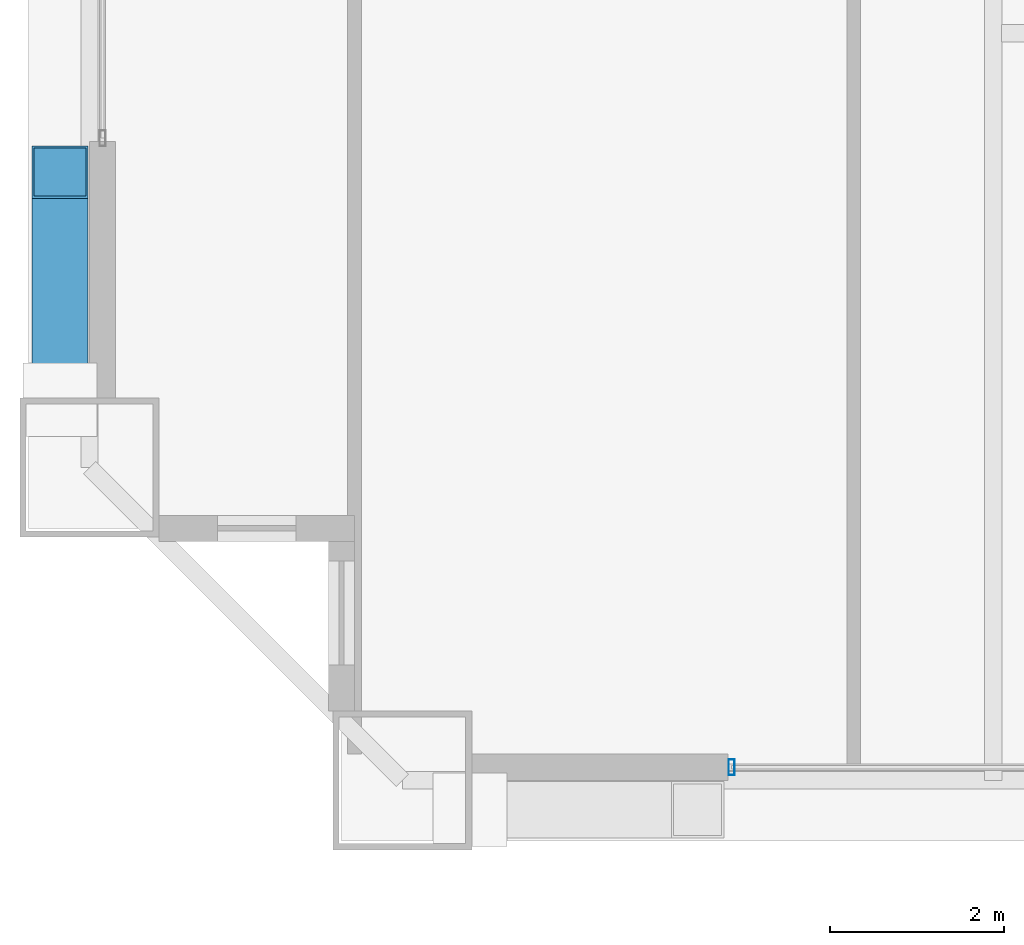
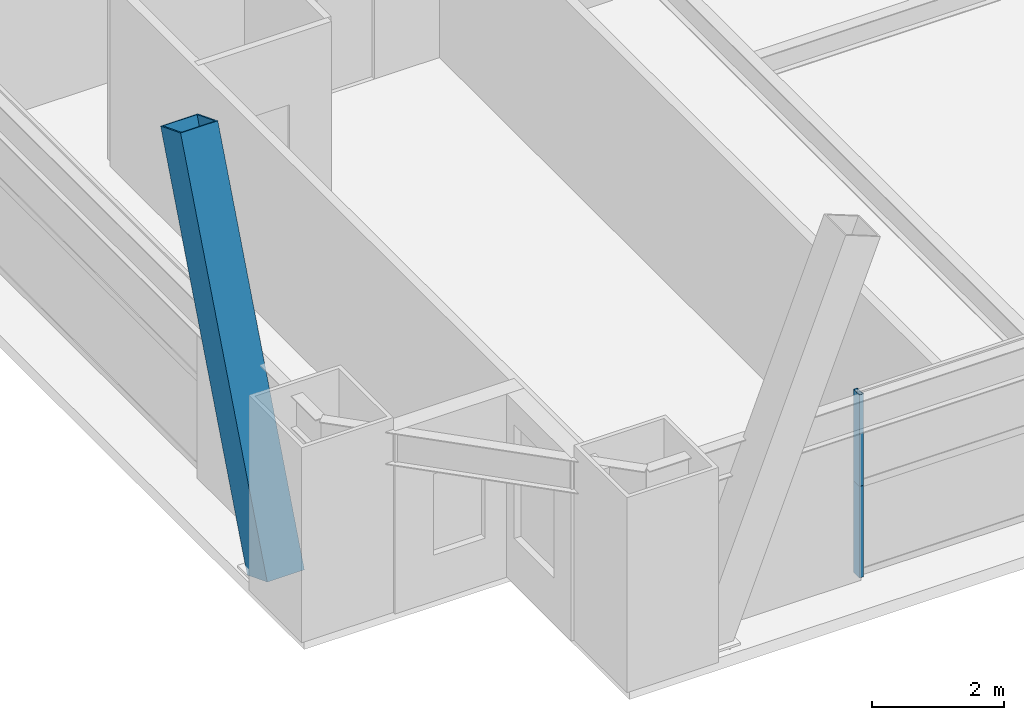
# One storey, part 4 of 41: 3 members, 1 element without a shape of its own.
"""IFC4 building model written with IfcOpenShell, lengths in metres."""

import ifcopenshell
import ifcopenshell.guid

model = None  # the IFC model being written
_history = None  # IfcOwnerHistory: only IFC2X3 demands one
_inside = {}  # id of a spatial element -> (the spatial element, [elements in it])
_under = {}  # id of a project, library or spatial element -> (it, [spatial elements below it])
_declared = {}  # id of a project -> (the project, [libraries it declares])
_typed = {}  # id of a type object -> (the type object, [elements of that type])
_made_of = {}  # id of a material, layer set ... -> (it, [elements and type objects made of it])


def new_model(schema):
    """Start an empty IFC model of exactly this schema.

    Asked for "IFC4X3", IfcOpenShell would pick the latest addendum, in which some entities
    have other attributes; the version numbers below select the first issue.
    IFC2X3 requires an IfcOwnerHistory on every rooted entity: one is made here for all.
    """
    global model, _history
    if schema == "IFC4X3":
        model = ifcopenshell.file(schema_version=(4, 3, 0, 0))
    else:
        model = ifcopenshell.file(schema=schema)
    _inside.clear()
    _under.clear()
    _declared.clear()
    _typed.clear()
    _made_of.clear()
    _history = None
    if model.schema == "IFC2X3":
        org = make("IfcOrganization", Name="unknown")
        user = make(
            "IfcPersonAndOrganization",
            ThePerson=make("IfcPerson", FamilyName="unknown"),
            TheOrganization=org,
        )
        app = make(
            "IfcApplication",
            ApplicationDeveloper=org,
            Version="unknown",
            ApplicationFullName="unknown",
            ApplicationIdentifier="unknown",
        )
        _history = make(
            "IfcOwnerHistory",
            OwningUser=user,
            OwningApplication=app,
            ChangeAction="ADDED",
            CreationDate=0,
        )
    return model


def make(cls, **values):
    """One entity of the class cls with the attributes given. An attribute that is None is left unset."""
    return model.create_entity(
        cls, **{name: value for name, value in values.items() if value is not None}
    )


def rooted(cls, **values):
    """An entity with a GlobalId (a new one), such as an element, a storey or a relation."""
    return make(cls, GlobalId=ifcopenshell.guid.new(), OwnerHistory=_history, **values)


def si_unit(unit_type, name, prefix=None):
    """IfcSIUnit, for example si_unit("LENGTHUNIT", "METRE", prefix="MILLI")."""
    return make("IfcSIUnit", UnitType=unit_type, Prefix=prefix, Name=name)


def assignment(units):
    """IfcUnitAssignment: the units of a project."""
    return None if units is None else make("IfcUnitAssignment", Units=units)


def point(xyz):
    """IfcCartesianPoint."""
    return None if xyz is None else make("IfcCartesianPoint", Coordinates=xyz)


def direction(xyz):
    """IfcDirection."""
    return None if xyz is None else make("IfcDirection", DirectionRatios=xyz)


def frame(location, z_axis=None, x_axis=None):
    """IfcAxis2Placement3D, a coordinate frame: its origin and axes. An axis left out is left unset."""
    return make(
        "IfcAxis2Placement3D",
        Location=point(location),
        Axis=direction(z_axis),
        RefDirection=direction(x_axis),
    )


def frame_2d(location, x_axis=None):
    """IfcAxis2Placement2D, a coordinate frame in the plane: its origin and x axis."""
    return make(
        "IfcAxis2Placement2D", Location=point(location), RefDirection=direction(x_axis)
    )


def origin():
    """The frame at (0, 0, 0) with its axes left unset."""
    return frame((0.0, 0.0, 0.0))


def origin_2d():
    """The frame at (0, 0) in the plane with its x axis left unset."""
    return frame_2d((0.0, 0.0))


def place(relative_to, where):
    """IfcLocalPlacement: puts the frame where relative to a parent placement (None: the world)."""
    return make(
        "IfcLocalPlacement", PlacementRelTo=relative_to, RelativePlacement=where
    )


def context(
    kind, dimensions, precision=None, world=None, true_north=None, identifier=None
):
    """IfcGeometricRepresentationContext, for example the 3D "Model" context."""
    return make(
        "IfcGeometricRepresentationContext",
        ContextIdentifier=identifier,
        ContextType=kind,
        CoordinateSpaceDimension=dimensions,
        Precision=precision,
        WorldCoordinateSystem=world,
        TrueNorth=true_north,
    )


def subcontext(parent, identifier, kind, view, scale=None):
    """IfcGeometricRepresentationSubContext, for example "Body" below "Model"."""
    return make(
        "IfcGeometricRepresentationSubContext",
        ContextIdentifier=identifier,
        ContextType=kind,
        ParentContext=parent,
        TargetScale=scale,
        TargetView=view,
    )


def project(units=None, contexts=None):
    """IfcProject with its units and contexts."""
    return rooted(
        "IfcProject",
        Name="project",
        RepresentationContexts=contexts,
        UnitsInContext=assignment(units),
    )


def spatial(cls, under=None, at=None, **own):
    """A site, building, storey or space (cls), placed at a placement, below another one or the project."""
    s = rooted(cls, ObjectPlacement=at, **own)
    if under is not None:
        _under.setdefault(under.id(), (under, []))[1].append(s)
    return s


def profile(cls, at=None, kind="AREA", **sizes):
    """A parametric profile (cls). Its sizes go by their IFC names, for example OverallWidth=200.0."""
    return make(cls, ProfileType=kind, Position=at, **sizes)


def hollow_rectangle(**sizes):
    """IfcRectangleHollowProfileDef."""
    return profile("IfcRectangleHollowProfileDef", **sizes)


def extrude(swept, where, along, depth):
    """IfcExtrudedAreaSolid: the profile swept, set in the frame where, extruded along a direction by depth."""
    return make(
        "IfcExtrudedAreaSolid",
        SweptArea=swept,
        Position=where,
        ExtrudedDirection=direction(along),
        Depth=depth,
    )


def shape(context_of_items, identifier, shape_type, items):
    """IfcShapeRepresentation: the items that make up one representation, for example the "Body"."""
    return make(
        "IfcShapeRepresentation",
        ContextOfItems=context_of_items,
        RepresentationIdentifier=identifier,
        RepresentationType=shape_type,
        Items=items,
    )


def source(mapping_origin, context_of_items, identifier, shape_type, items):
    """IfcRepresentationMap: a shape defined once, which mapped items show again and again."""
    return make(
        "IfcRepresentationMap",
        MappingOrigin=mapping_origin,
        MappedRepresentation=shape(context_of_items, identifier, shape_type, items),
    )


def transform(
    local_origin,
    x_axis=None,
    y_axis=None,
    z_axis=None,
    scale=None,
    scale2=None,
    scale3=None,
    uniform=True,
):
    """IfcCartesianTransformationOperator3D, or its non-uniform kind. x_axis, y_axis, z_axis: its Axis1, 2, 3."""
    if uniform:
        return make(
            "IfcCartesianTransformationOperator3D",
            Axis1=direction(x_axis),
            Axis2=direction(y_axis),
            LocalOrigin=point(local_origin),
            Scale=scale,
            Axis3=direction(z_axis),
        )
    return make(
        "IfcCartesianTransformationOperator3DnonUniform",
        Axis1=direction(x_axis),
        Axis2=direction(y_axis),
        LocalOrigin=point(local_origin),
        Scale=scale,
        Axis3=direction(z_axis),
        Scale2=scale2,
        Scale3=scale3,
    )


def mapped(mapping_source, mapping_target):
    """IfcMappedItem: shows the shape of a source again, moved by a transform."""
    return make(
        "IfcMappedItem", MappingSource=mapping_source, MappingTarget=mapping_target
    )


def material(Name=None, Category=None):
    """IfcMaterial."""
    return make("IfcMaterial", Name=Name, Category=Category)


def layer(
    of_material, thickness, ventilated=None, Name=None, Category=None, Priority=None
):
    """IfcMaterialLayer: one layer of a wall or slab, of a material (None: an air gap)."""
    return make(
        "IfcMaterialLayer",
        Material=of_material,
        LayerThickness=thickness,
        IsVentilated=ventilated,
        Name=Name,
        Category=Category,
        Priority=Priority,
    )


def layer_set(layers, Name=None):
    """IfcMaterialLayerSet."""
    return make("IfcMaterialLayerSet", MaterialLayers=layers, LayerSetName=Name)


def material_profile(
    of_material, cross_section, Name=None, Category=None, Priority=None
):
    """IfcMaterialProfile: a cross section and its material."""
    return make(
        "IfcMaterialProfile",
        Name=Name,
        Material=of_material,
        Profile=cross_section,
        Priority=Priority,
        Category=Category,
    )


def profile_set(profiles, Name=None, composite=None):
    """IfcMaterialProfileSet."""
    return make(
        "IfcMaterialProfileSet",
        Name=Name,
        MaterialProfiles=profiles,
        CompositeProfile=composite,
    )


def made_of(thing, what):
    """Note that an element or type object is made of a material, layer set ...; save() writes the relation."""
    if what is not None:
        _made_of.setdefault(what.id(), (what, []))[1].append(thing)
    return thing


def type_object(cls, material=None, **own):
    """A type object (cls), such as IfcWallType, which elements share."""
    return made_of(rooted(cls, **own), material)


def element(
    cls,
    number,
    at=None,
    inside=None,
    cuts=None,
    type_object=None,
    material=None,
    context=None,
    identifier="Body",
    shape_type=None,
    held_by="IfcProductDefinitionShape",
    body=None,
    shapes=None,
    **own,
):
    """One element of the class cls, such as IfcWall. Its Tag is "e" and its number.

    at: its placement. inside: the storey or other place that contains it. cuts: it is an
    opening in that element (IfcRelVoidsElement). A single representation is given by context,
    identifier, shape_type and body (its items); several are given by shapes. held_by: the class
    of the entity that holds the representations. save() writes the other relations.
    """
    e = rooted(cls, Tag="e%d" % number, ObjectPlacement=at, **own)
    if body is not None:
        shapes = [shape(context, identifier, shape_type, body)]
    if shapes is not None:
        e.Representation = make(held_by, Representations=shapes)
    if inside is not None:
        _inside.setdefault(inside.id(), (inside, []))[1].append(e)
    if cuts is not None:
        rooted(
            "IfcRelVoidsElement", RelatingBuildingElement=cuts, RelatedOpeningElement=e
        )
    if type_object is not None:
        _typed.setdefault(type_object.id(), (type_object, []))[1].append(e)
    return made_of(e, material)


def aggregate(whole, parts):
    """IfcRelAggregates: a whole, such as a stair, and the parts it consists of."""
    return rooted("IfcRelAggregates", RelatingObject=whole, RelatedObjects=parts)


def save(model, path):
    """Write the relations noted so far, then the file.

    IfcRelAggregates (storeys below a building ...), IfcRelContainedInSpatialStructure (elements
    in a storey), IfcRelDefinesByType, IfcRelAssociatesMaterial and IfcRelDeclares: one each for
    every whole, place, type object, material and project.
    """
    for whole, parts in _under.values():
        aggregate(whole, parts)
    for where, things in _inside.values():
        rooted(
            "IfcRelContainedInSpatialStructure",
            RelatedElements=things,
            RelatingStructure=where,
        )
    for kind, things in _typed.values():
        rooted("IfcRelDefinesByType", RelatedObjects=things, RelatingType=kind)
    for what, things in _made_of.values():
        rooted("IfcRelAssociatesMaterial", RelatedObjects=things, RelatingMaterial=what)
    for by, libraries in _declared.values():
        rooted("IfcRelDeclares", RelatingContext=by, RelatedDefinitions=libraries)
    model.write(path)


model = new_model("IFC4")

# Units and contexts
model_context = context("Model", 3, precision=1e-05, world=origin(), true_north=direction((0.0, 1.0)))
body_context = subcontext(model_context, "Body", "Model", "MODEL_VIEW")
ifc_project = project(units=[si_unit("LENGTHUNIT", "METRE"), si_unit("AREAUNIT", "SQUARE_METRE"), si_unit("VOLUMEUNIT", "CUBIC_METRE"), si_unit("PLANEANGLEUNIT", "RADIAN"), si_unit("MASSUNIT", "GRAM", prefix="KILO"), si_unit("THERMODYNAMICTEMPERATUREUNIT", "KELVIN"), si_unit("POWERUNIT", "WATT")], contexts=[model_context])

# Site, building, storey
site_placement = place(None, origin())
site = spatial("IfcSite", under=ifc_project, at=site_placement, CompositionType="ELEMENT")
building_placement = place(site_placement, origin())
building = spatial("IfcBuilding", under=site, at=building_placement, Name="Yuzanri Waterfront Tower", CompositionType="ELEMENT")
storey_placement = place(building_placement, frame((0.0, 0.0, 152.39990234375)))
storey = spatial("IfcBuildingStorey", under=building, at=storey_placement, Name="L40", CompositionType="ELEMENT", Elevation=152.39990234375)

# Member
ifc_material_1 = material(Name="Steel Q420GJC", Category="steel")
ifc_material_profile_1 = material_profile(ifc_material_1, hollow_rectangle(XDim=0.64990234375, YDim=0.64990234375, WallThickness=0.028076171875, at=origin_2d()), Name="RHS 650x650x28")
ifc_profile_set_1 = profile_set([ifc_material_profile_1], Name="Steel Q420GJC")
member_type_1 = type_object("IfcMemberType", Name="Mega Brace Lower Q420GJC RHS 650x650x28", PredefinedType="BRACE", material=ifc_profile_set_1)
shared_shape_1 = source(origin(), body_context, "Body", "SweptSolid", [
    extrude(hollow_rectangle(XDim=0.64990234375, YDim=0.64990234375, WallThickness=0.028076171875, at=origin_2d()), origin(), (0.0, 0.0, 1.0), 7.19384765625),
])
member_1_placement = place(storey_placement, frame((13.06005859375, 6.580078125, 0.18017578125), z_axis=(0.0, 0.36417668996, 0.9313298763), x_axis=(-1.0, 0.0, 0.0)))
element("IfcMember", 1, at=member_1_placement, inside=storey, type_object=member_type_1, Name="L40-L41 Perimeter Mega-Brace W-L", PredefinedType="BRACE", context=body_context, shape_type="MappedRepresentation", body=[
    mapped(shared_shape_1, transform((0.0, 0.0, 0.0), scale=1.0)),
])

# Curtain wall, members
ifc_material_2 = material(Name="Anodized Architectural Bronze", Category="metal")
ifc_layer = layer(ifc_material_2, 0.159912109375)
ifc_layer_set = layer_set([ifc_layer], Name="Anodized Architectural Bronze")
curtain_wall_type = type_object("IfcCurtainWallType", Name="Anodized Bronze Hotel Upper-Tier Solar-Control Unitized Curtain Wall 7800", PredefinedType="NOTDEFINED", material=ifc_layer_set)
curtain_wall_placement = place(storey_placement, origin())
curtain_wall = element("IfcCurtainWall", 2, at=curtain_wall_placement, inside=storey, type_object=curtain_wall_type, Name="L40 Curtain Wall CW-L40-SL", PredefinedType="NOTDEFINED")
ifc_material_3 = material(Name="Anodized Architectural Bronze", Category="metal")
ifc_material_profile_2 = material_profile(ifc_material_3, hollow_rectangle(XDim=0.070068359375, YDim=0.179931640625, WallThickness=0.00390625, at=origin_2d()), Name="CWM 70x180")
ifc_profile_set_2 = profile_set([ifc_material_profile_2], Name="Anodized Architectural Bronze")
member_type_2 = type_object("IfcMemberType", Name="Anodized Bronze Standard Curtain-Wall Mullion 70x180", PredefinedType="MULLION", material=ifc_profile_set_2)
shared_shape_2 = source(origin(), body_context, "Body", "SweptSolid", [
    extrude(hollow_rectangle(XDim=0.070068359375, YDim=0.179931640625, WallThickness=0.00390625, at=origin_2d()), origin(), (0.0, 0.0, 1.0), 1.68798828125),
])
member_2_placement = place(storey_placement, frame((20.7900390625, 2.35009765625, 0.0), z_axis=(0.0, 0.0, 1.0), x_axis=(1.0, 0.0, 0.0)))
member_2 = element("IfcMember", 3, at=member_2_placement, type_object=member_type_2, Name="CW-L40-SL Lower Mullion 00", PredefinedType="MULLION", context=body_context, shape_type="MappedRepresentation", body=[
    mapped(shared_shape_2, transform((0.0, 0.0, 0.0), scale=1.0)),
])
member_3_placement = place(storey_placement, frame((20.7900390625, 2.35009765625, 1.692138671875), z_axis=(0.0, 0.0, 1.0), x_axis=(1.0, 0.0, 0.0)))
member_3 = element("IfcMember", 4, at=member_3_placement, type_object=member_type_2, Name="CW-L40-SL Upper Mullion 00", PredefinedType="MULLION", context=body_context, shape_type="MappedRepresentation", body=[
    mapped(shared_shape_2, transform((0.0, 0.0, 0.0), scale=1.0)),
])
aggregate(curtain_wall, [member_2, member_3])

save(model, "model.ifc")
